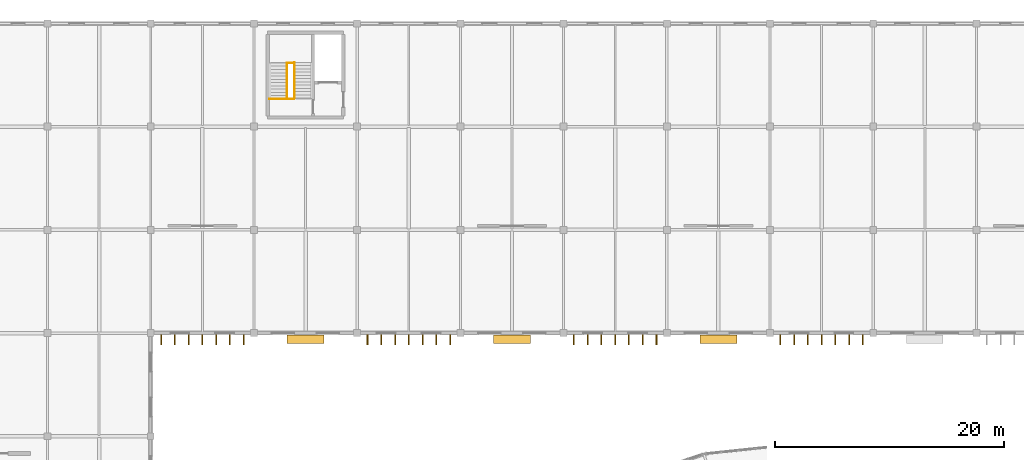
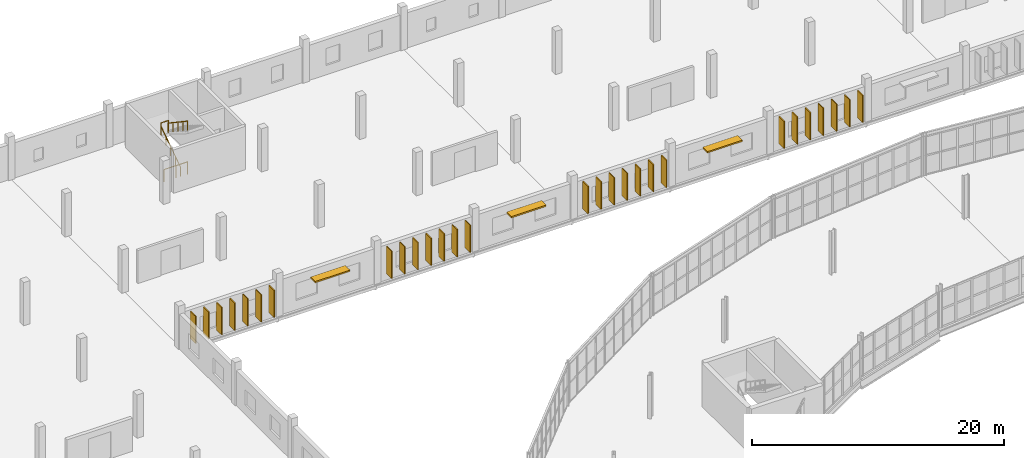
# One storey, part 159 of 161: 31 shading devices, 4 railings.
"""IFC4 building model written with IfcOpenShell, lengths in metres."""

from ifc_helpers import new_model, si_unit, direction, frame, origin, origin_2d, place, context, subcontext, project, spatial, rectangle, circle, extrude, material, layer, layer_set, type_object, element, save


model = new_model("IFC4")

# Units and contexts
model_context = context("Model", 3, precision=1e-05, world=origin(), true_north=direction((0.0, 1.0)))
body_context = subcontext(model_context, "Body", "Model", "MODEL_VIEW")
ifc_project = project(units=[si_unit("LENGTHUNIT", "METRE"), si_unit("AREAUNIT", "SQUARE_METRE"), si_unit("VOLUMEUNIT", "CUBIC_METRE"), si_unit("PLANEANGLEUNIT", "RADIAN"), si_unit("MASSUNIT", "GRAM", prefix="KILO")], contexts=[model_context])

# Site, building, storey
site_placement = place(None, origin())
site = spatial("IfcSite", under=ifc_project, at=site_placement, CompositionType="ELEMENT")
building_placement = place(site_placement, origin())
building = spatial("IfcBuilding", under=site, at=building_placement, Name="Kildeholm Park Wholesale Market", CompositionType="ELEMENT")
storey_placement = place(building_placement, frame((0.0, 0.0, 5.39990234375)))
storey = spatial("IfcBuildingStorey", under=building, at=storey_placement, Name="L01", CompositionType="ELEMENT", Elevation=5.39990234375)

# Shading devices
ifc_material_1 = material(Name="Glazed ceramic and anodised aluminium brise-soleil", Category="aluminium")
ifc_layer = layer(ifc_material_1, 0.090087890625)
ifc_layer_set = layer_set([ifc_layer], Name="Glazed ceramic and anodised aluminium brise-soleil")
shading_device_type_1 = type_object("IfcShadingDeviceType", Name="Brise-soleil solar fin SH-FIN2 850x90", PredefinedType="USERDEFINED", material=ifc_layer_set)
for number, where, z_axis, x_axis, name in (
    (1, (36.89990234375, 143.425048828125, 0.60009765625), (0.0, 0.0, 1.0), (0.0, -1.0, 0.0), "Brise-soleil fin V4S-L01-01.1 SHD-0069"),
    (2, (38.10009765625, 143.425048828125, 0.60009765625), (0.0, 0.0, 1.0), (0.0, -1.0, 0.0), "Brise-soleil fin V4S-L01-01.2 SHD-0070"),
    (3, (39.300048828125, 143.425048828125, 0.60009765625), (0.0, 0.0, 1.0), (0.0, -1.0, 0.0), "Brise-soleil fin V4S-L01-01.3 SHD-0071"),
    (4, (40.5, 143.425048828125, 0.60009765625), (0.0, 0.0, 1.0), (0.0, -1.0, 0.0), "Brise-soleil fin V4S-L01-01.4 SHD-0072"),
    (5, (41.699951171875, 143.425048828125, 0.60009765625), (0.0, 0.0, 1.0), (0.0, -1.0, 0.0), "Brise-soleil fin V4S-L01-01.5 SHD-0073"),
    (6, (42.89990234375, 143.425048828125, 0.60009765625), (0.0, 0.0, 1.0), (0.0, -1.0, 0.0), "Brise-soleil fin V4S-L01-01.6 SHD-0074"),
    (7, (44.10009765625, 143.425048828125, 0.60009765625), (0.0, 0.0, 1.0), (0.0, -1.0, 0.0), "Brise-soleil fin V4S-L01-01.7 SHD-0075"),
    (8, (54.89990234375, 143.425048828125, 0.60009765625), (0.0, 0.0, 1.0), (0.0, -1.0, 0.0), "Brise-soleil fin V4S-L01-03.1 SHD-0077"),
    (9, (56.10009765625, 143.425048828125, 0.60009765625), (0.0, 0.0, 1.0), (0.0, -1.0, 0.0), "Brise-soleil fin V4S-L01-03.2 SHD-0078"),
    (10, (57.300048828125, 143.425048828125, 0.60009765625), (0.0, 0.0, 1.0), (0.0, -1.0, 0.0), "Brise-soleil fin V4S-L01-03.3 SHD-0079"),
    (11, (58.5, 143.425048828125, 0.60009765625), (0.0, 0.0, 1.0), (0.0, -1.0, 0.0), "Brise-soleil fin V4S-L01-03.4 SHD-0080"),
    (12, (59.699951171875, 143.425048828125, 0.60009765625), (0.0, 0.0, 1.0), (0.0, -1.0, 0.0), "Brise-soleil fin V4S-L01-03.5 SHD-0081"),
    (13, (60.89990234375, 143.425048828125, 0.60009765625), (0.0, 0.0, 1.0), (0.0, -1.0, 0.0), "Brise-soleil fin V4S-L01-03.6 SHD-0082"),
    (14, (62.10009765625, 143.425048828125, 0.60009765625), (0.0, 0.0, 1.0), (0.0, -1.0, 0.0), "Brise-soleil fin V4S-L01-03.7 SHD-0083"),
    (15, (72.89990234375, 143.425048828125, 0.60009765625), (0.0, 0.0, 1.0), (0.0, -1.0, 0.0), "Brise-soleil fin V4S-L01-05.1 SHD-0085"),
    (16, (74.10009765625, 143.425048828125, 0.60009765625), (0.0, 0.0, 1.0), (0.0, -1.0, 0.0), "Brise-soleil fin V4S-L01-05.2 SHD-0086"),
    (17, (75.300048828125, 143.425048828125, 0.60009765625), (0.0, 0.0, 1.0), (0.0, -1.0, 0.0), "Brise-soleil fin V4S-L01-05.3 SHD-0087"),
    (18, (76.5, 143.425048828125, 0.60009765625), (0.0, 0.0, 1.0), (0.0, -1.0, 0.0), "Brise-soleil fin V4S-L01-05.4 SHD-0088"),
    (19, (77.699951171875, 143.425048828125, 0.60009765625), (0.0, 0.0, 1.0), (0.0, -1.0, 0.0), "Brise-soleil fin V4S-L01-05.5 SHD-0089"),
    (20, (78.89990234375, 143.425048828125, 0.60009765625), (0.0, 0.0, 1.0), (0.0, -1.0, 0.0), "Brise-soleil fin V4S-L01-05.6 SHD-0090"),
    (21, (80.10009765625, 143.425048828125, 0.60009765625), (0.0, 0.0, 1.0), (0.0, -1.0, 0.0), "Brise-soleil fin V4S-L01-05.7 SHD-0091"),
    (22, (90.89990234375, 143.425048828125, 0.60009765625), (0.0, 0.0, 1.0), (0.0, -1.0, 0.0), "Brise-soleil fin V4S-L01-07.1 SHD-0093"),
    (23, (92.10009765625, 143.425048828125, 0.60009765625), (0.0, 0.0, 1.0), (0.0, -1.0, 0.0), "Brise-soleil fin V4S-L01-07.2 SHD-0094"),
    (24, (93.300048828125, 143.425048828125, 0.60009765625), (0.0, 0.0, 1.0), (0.0, -1.0, 0.0), "Brise-soleil fin V4S-L01-07.3 SHD-0095"),
    (25, (94.5, 143.425048828125, 0.60009765625), (0.0, 0.0, 1.0), (0.0, -1.0, 0.0), "Brise-soleil fin V4S-L01-07.4 SHD-0096"),
    (26, (95.699951171875, 143.425048828125, 0.60009765625), (0.0, 0.0, 1.0), (0.0, -1.0, 0.0), "Brise-soleil fin V4S-L01-07.5 SHD-0097"),
    (27, (96.89990234375, 143.425048828125, 0.60009765625), (0.0, 0.0, 1.0), (0.0, -1.0, 0.0), "Brise-soleil fin V4S-L01-07.6 SHD-0098"),
    (28, (98.10009765625, 143.425048828125, 0.60009765625), (0.0, 0.0, 1.0), (0.0, -1.0, 0.0), "Brise-soleil fin V4S-L01-07.7 SHD-0099"),
):
    element("IfcShadingDevice", number, at=place(storey_placement, frame(where, z_axis=z_axis, x_axis=x_axis)), inside=storey, type_object=shading_device_type_1, Name=name, ObjectType="SOLAR FIN", PredefinedType="USERDEFINED", context=body_context, shape_type="SweptSolid", body=[
        extrude(rectangle(XDim=0.85009765625, YDim=0.090087890625, at=origin_2d()), origin(), (0.0, 0.0, 1.0), 2.64990234375),
    ])
ifc_material_2 = material(Name="Anodised aluminium sunshade louvre", Category="aluminium")
shading_device_type_2 = type_object("IfcShadingDeviceType", Name="Horizontal sunshade louvre bank SH-LV1", PredefinedType="JALOUSIE", material=ifc_material_2)
for number, where, z_axis, x_axis, name in (
    (29, (49.5, 143.47509765625, 2.56005859375), (0.0, 0.0, 1.0), (1.0, 0.0, 0.0), "Sunshade louvre V4S-L01.2 SHD-0076"),
    (30, (67.5, 143.47509765625, 2.56005859375), (0.0, 0.0, 1.0), (1.0, 0.0, 0.0), "Sunshade louvre V4S-L01.4 SHD-0084"),
    (31, (85.5, 143.47509765625, 2.56005859375), (0.0, 0.0, 1.0), (1.0, 0.0, 0.0), "Sunshade louvre V4S-L01.6 SHD-0092"),
):
    element("IfcShadingDevice", number, at=place(storey_placement, frame(where, z_axis=z_axis, x_axis=x_axis)), inside=storey, type_object=shading_device_type_2, Name=name, PredefinedType="JALOUSIE", context=body_context, shape_type="SweptSolid", body=[
        extrude(rectangle(XDim=3.199951171875, YDim=0.75, at=origin_2d()), origin(), (0.0, 0.0, 1.0), 0.139892578125),
    ])

# Railings
ifc_material_3 = material(Name="Painted steel and laminated glass balustrade", Category="steel")
railing_type_1 = type_object("IfcRailingType", Name="Interior gallery and stairwell guard GR-IN1 1200 mm", PredefinedType="GUARDRAIL", material=ifc_material_3)
railing_1_placement = place(storey_placement, frame((46.360107421875, 164.429931640625, 0.0)))
element("IfcRailing", 32, at=railing_1_placement, inside=storey, type_object=railing_type_1, Name="Stair C02 upper floor well guard L01 RLG-0031", PredefinedType="GUARDRAIL", context=body_context, shape_type="SweptSolid", body=[
    extrude(circle(Radius=0.02392578125, at=origin_2d()), frame((0.0, 0.0, 1.17578125), z_axis=(1.0, 0.0, 0.0), x_axis=(0.0, 1.0, 0.0)), (0.0, 0.0, 1.0), 2.14990234375),
    extrude(circle(Radius=0.02099609375, at=origin_2d()), origin(), (0.0, 0.0, 1.0), 1.15185546875),
    extrude(circle(Radius=0.02099609375, at=origin_2d()), frame((1.074951171875, 0.0, 0.0)), (0.0, 0.0, 1.0), 1.15185546875),
    extrude(circle(Radius=0.02099609375, at=origin_2d()), frame((2.14990234375, 0.0, 0.0)), (0.0, 0.0, 1.0), 1.15185546875),
])
railing_2_placement = place(storey_placement, frame((47.860107421875, 167.544921875, 2.10009765625)))
element("IfcRailing", 33, at=railing_2_placement, inside=storey, type_object=railing_type_1, Name="Stair C02 half-landing well guard L01 RLG-0034", PredefinedType="GUARDRAIL", context=body_context, shape_type="SweptSolid", body=[
    extrude(circle(Radius=0.02392578125, at=origin_2d()), frame((0.0, 0.0, 1.17578125), z_axis=(1.0, 0.0, 0.0), x_axis=(0.0, 1.0, 0.0)), (0.0, 0.0, 1.0), 0.68994140625),
    extrude(circle(Radius=0.02099609375, at=origin_2d()), origin(), (0.0, 0.0, 1.0), 1.15185546875),
    extrude(circle(Radius=0.02099609375, at=origin_2d()), frame((0.68994140625, 0.0, 0.0)), (0.0, 0.0, 1.0), 1.15185546875),
])
ifc_material_4 = material(Name="Stainless steel AISI 316 handrail", Category="steel")
railing_type_2 = type_object("IfcRailingType", Name="Stair flight handrail HR-IN1 900 mm", PredefinedType="HANDRAIL", material=ifc_material_4)
railing_3_placement = place(storey_placement, frame((47.860107421875, 164.419921875, 0.0)))
element("IfcRailing", 34, at=railing_3_placement, inside=storey, type_object=railing_type_2, Name="Stair C02 flight 1 handrail L01 RLG-0036", PredefinedType="HANDRAIL", context=body_context, shape_type="SweptSolid", body=[
    extrude(circle(Radius=0.02392578125, at=origin_2d()), frame((0.0, 0.0, 0.8759765625), z_axis=(0.0, 0.830813955726, 0.556550241192), x_axis=(-1.0, 0.0, 0.0)), (0.0, 0.0, 1.0), 3.7734375),
    extrude(circle(Radius=0.02099609375, at=origin_2d()), origin(), (0.0, 0.0, 1.0), 0.851806640625),
    extrude(circle(Radius=0.02099609375, at=origin_2d()), frame((0.0, 0.78369140625, 0.52490234375)), (0.0, 0.0, 1.0), 0.851806640625),
    extrude(circle(Radius=0.02099609375, at=origin_2d()), frame((0.0, 1.5673828125, 1.050048828125)), (0.0, 0.0, 1.0), 0.851806640625),
    extrude(circle(Radius=0.02099609375, at=origin_2d()), frame((0.0, 2.351318359375, 1.5751953125)), (0.0, 0.0, 1.0), 0.851806640625),
    extrude(circle(Radius=0.02099609375, at=origin_2d()), frame((0.0, 3.135009765625, 2.10009765625)), (0.0, 0.0, 1.0), 0.851806640625),
])
railing_4_placement = place(storey_placement, frame((48.550048828125, 167.614990234375, 2.10009765625)))
element("IfcRailing", 35, at=railing_4_placement, inside=storey, type_object=railing_type_2, Name="Stair C02 flight 2 handrail L01 RLG-0037", PredefinedType="HANDRAIL", context=body_context, shape_type="SweptSolid", body=[
    extrude(circle(Radius=0.02392578125, at=origin_2d()), frame((0.0, 0.0, 0.8759765625), z_axis=(0.0, -0.830813955726, 0.556550241192), x_axis=(1.0, 0.0, 0.0)), (0.0, 0.0, 1.0), 3.7734375),
    extrude(circle(Radius=0.02099609375, at=origin_2d()), origin(), (0.0, 0.0, 1.0), 0.851806640625),
    extrude(circle(Radius=0.02099609375, at=origin_2d()), frame((0.0, -0.78369140625, 0.52490234375)), (0.0, 0.0, 1.0), 0.851806640625),
    extrude(circle(Radius=0.02099609375, at=origin_2d()), frame((0.0, -1.5673828125, 1.050048828125)), (0.0, 0.0, 1.0), 0.851806640625),
    extrude(circle(Radius=0.02099609375, at=origin_2d()), frame((0.0, -2.351318359375, 1.5751953125)), (0.0, 0.0, 1.0), 0.851806640625),
    extrude(circle(Radius=0.02099609375, at=origin_2d()), frame((0.0, -3.135009765625, 2.10009765625)), (0.0, 0.0, 1.0), 0.851806640625),
])

save(model, "model.ifc")
